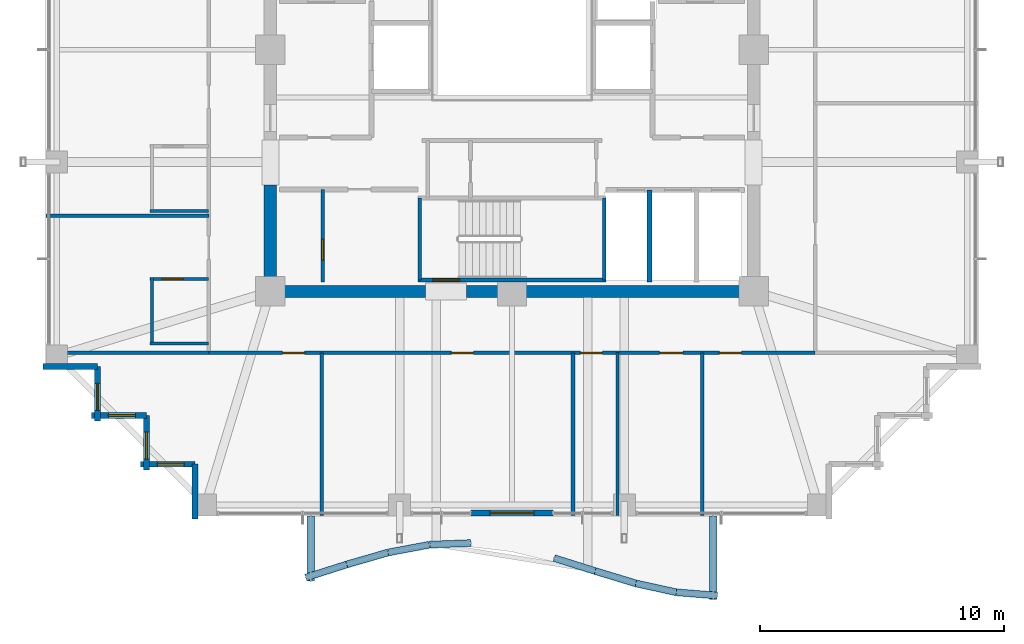
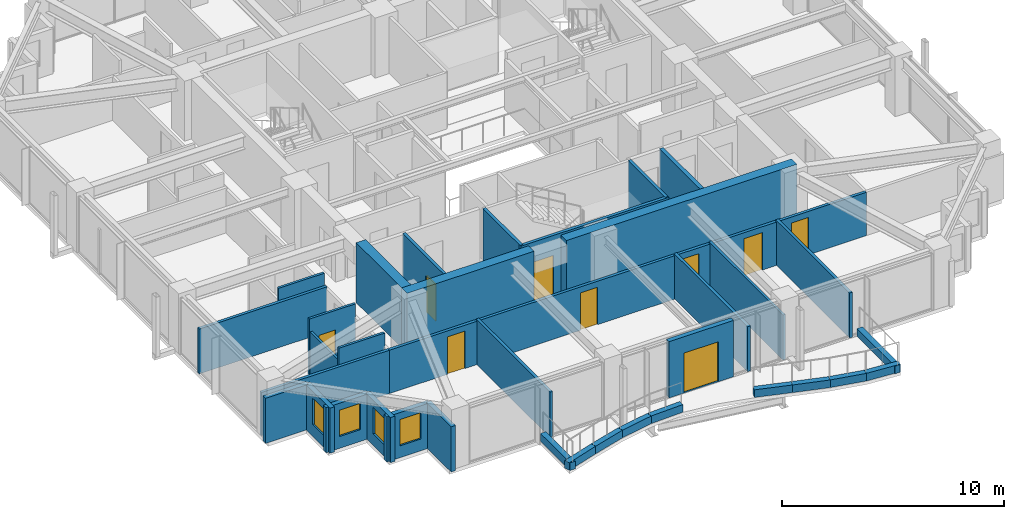
# One storey, part 26 of 32: 36 walls, 9 doors, 4 windows, 13 openings.
"""IFC4 building model written with IfcOpenShell, lengths in metres."""

from ifc_helpers import new_model, si_unit, direction, frame, frame_2d, origin, place, context, subcontext, project, spatial, rectangle, extrude, material, layer, layer_set, type_object, element, fill, save


model = new_model("IFC4")

# Units and contexts
model_context = context("Model", 3, precision=1e-05, world=origin(), true_north=direction((0.0, 1.0)))
body_context = subcontext(model_context, "Body", "Model", "MODEL_VIEW")
ifc_project = project(units=[si_unit("LENGTHUNIT", "METRE"), si_unit("AREAUNIT", "SQUARE_METRE"), si_unit("VOLUMEUNIT", "CUBIC_METRE"), si_unit("PLANEANGLEUNIT", "RADIAN"), si_unit("MASSUNIT", "GRAM", prefix="KILO")], contexts=[model_context])

# Site, building, storey
site_placement = place(None, origin())
site = spatial("IfcSite", under=ifc_project, at=site_placement, CompositionType="ELEMENT")
building_placement = place(site_placement, origin())
building = spatial("IfcBuilding", under=site, at=building_placement, Name="Kolvaren Belvedere", CompositionType="ELEMENT")
storey_placement = place(building_placement, frame((0.0, 0.0, 160.199951171875)))
storey = spatial("IfcBuildingStorey", under=building, at=storey_placement, Name="L46", CompositionType="ELEMENT", Elevation=160.199951171875)

# Walls
ifc_material_1 = material(Name="Concrete C50/60", Category="concrete")
ifc_layer_1 = layer(ifc_material_1, 0.5)
ifc_layer_set_1 = layer_set([ifc_layer_1], Name="Concrete C50/60")
wall_type_1 = type_object("IfcWallType", Name="CW-CORE-500", PredefinedType="SHEAR", material=ifc_layer_set_1)
wall_1_placement = place(storey_placement, frame((10.14990234375, -9.89990234375, 0.0), z_axis=(0.0, 0.0, 1.0), x_axis=(-1.0, 0.0, 0.0)))
element("IfcWall", 1, at=wall_1_placement, inside=storey, type_object=wall_type_1, Name="L46 South Core Shear Wall 1", PredefinedType="SHEAR", context=body_context, shape_type="SweptSolid", body=[
    extrude(rectangle(XDim=12.010009765625, YDim=0.5, at=frame_2d((6.0048828125, 0.0))), origin(), (0.0, 0.0, 1.0), 3.300048828125),
])
wall_2_placement = place(storey_placement, frame((-3.5400390625, -9.89990234375, 0.0), z_axis=(0.0, 0.0, 1.0), x_axis=(-1.0, 0.0, 0.0)))
element("IfcWall", 2, at=wall_2_placement, inside=storey, type_object=wall_type_1, Name="L46 South Core Shear Wall 2", PredefinedType="SHEAR", context=body_context, shape_type="SweptSolid", body=[
    extrude(rectangle(XDim=6.60986328125, YDim=0.5, at=frame_2d((3.304931640625, 0.0))), origin(), (0.0, 0.0, 1.0), 3.300048828125),
])
wall_3_placement = place(storey_placement, frame((-9.89990234375, -9.64990234375, 0.0), z_axis=(0.0, 0.0, 1.0), x_axis=(0.0, 1.0, 0.0)))
element("IfcWall", 3, at=wall_3_placement, inside=storey, type_object=wall_type_1, Name="L46 West Core Shear Wall 1", PredefinedType="SHEAR", context=body_context, shape_type="SweptSolid", body=[
    extrude(rectangle(XDim=4.099853515625, YDim=0.5, at=frame_2d((2.0498046875, 0.0))), origin(), (0.0, 0.0, 1.0), 3.300048828125),
])

# Wall, opening, door
ifc_material_2 = material(Name="Concrete C50/60", Category="concrete")
ifc_layer_2 = layer(ifc_material_2, 0.159912109375)
ifc_layer_set_2 = layer_set([ifc_layer_2], Name="Concrete C50/60")
wall_type_2 = type_object("IfcWallType", Name="CW-STAIR-160", PredefinedType="SHEAR", material=ifc_layer_set_2)
wall_4_placement = place(storey_placement, frame((3.860107421875, -9.429931640625, 0.0), z_axis=(0.0, 0.0, 1.0), x_axis=(-1.0, 0.0, 0.0)))
wall_4 = element("IfcWall", 4, at=wall_4_placement, inside=storey, type_object=wall_type_2, Name="L46 Stair ST-3 South Shear Wall", PredefinedType="SHEAR", context=body_context, shape_type="SweptSolid", body=[
    extrude(rectangle(XDim=7.72021484375, YDim=0.159912109375, at=frame_2d((3.860107421875, 0.0))), origin(), (0.0, 0.0, 1.0), 3.300048828125),
])
opening_1_placement = place(wall_4_placement, frame((6.010009765625, 0.0, 0.0)))
opening_1 = element("IfcOpeningElement", 5, at=opening_1_placement, cuts=wall_4, Name="Opening D-FD90", PredefinedType="OPENING", context=body_context, shape_type="SweptSolid", body=[
    extrude(rectangle(XDim=1.10009765625, YDim=2.199951171875, at=frame_2d((0.550048828125, 1.10009765625))), frame((0.0, 0.08984375, 0.0), z_axis=(0.0, -1.0, 0.0), x_axis=(1.0, 0.0, 0.0)), (0.0, 0.0, 1.0), 0.179931640625),
])
ifc_material_3 = material(Name="Painted hollow stainless steel", Category="steel")
door_type_1 = type_object("IfcDoorType", Name="DR-FD90-1100", OperationType="NOTDEFINED", PredefinedType="DOOR", material=ifc_material_3)
door_1_placement = place(opening_1_placement, origin())
door_1 = element("IfcDoor", 6, at=door_1_placement, inside=storey, type_object=door_type_1, Name="L46 Stair ST-3 Exit Door", OperationType="SINGLE_SWING_RIGHT", OverallHeight=2.199951171875, OverallWidth=1.10009765625, PredefinedType="DOOR", context=body_context, shape_type="SweptSolid", body=[
    extrude(rectangle(XDim=1.10009765625, YDim=2.199951171875, at=frame_2d((0.550048828125, 1.10009765625))), frame((0.0, 0.02490234375, 0.0), z_axis=(0.0, -1.0, 0.0), x_axis=(1.0, 0.0, 0.0)), (0.0, 0.0, 1.0), 0.050048828125),
])
fill(opening_1, door_1)

# Walls
for number, where, z_axis, x_axis, name in (
    (7, (-3.780029296875, -9.429931640625, 0.0), (0.0, 0.0, 1.0), (0.0, 1.0, 0.0), "L46 Stair ST-3 West Shear Wall"),
    (8, (3.780029296875, -9.429931640625, 0.0), (0.0, 0.0, 1.0), (0.0, 1.0, 0.0), "L46 Stair ST-3 East Shear Wall"),
):
    element("IfcWall", number, at=place(storey_placement, frame(where, z_axis=z_axis, x_axis=x_axis)), inside=storey, type_object=wall_type_2, Name=name, PredefinedType="SHEAR", context=body_context, shape_type="SweptSolid", body=[
        extrude(rectangle(XDim=3.349853515625, YDim=0.159912109375, at=frame_2d((1.6748046875, 0.0))), origin(), (0.0, 0.0, 1.0), 3.300048828125),
    ])

# Wall, openings, doors
ifc_material_4 = material(Name="Gypsum fire-rated partition assembly", Category="gypsum")
ifc_layer_3 = layer(ifc_material_4, 0.14990234375)
ifc_layer_set_3 = layer_set([ifc_layer_3], Name="Gypsum fire-rated partition assembly")
wall_type_3 = type_object("IfcWallType", Name="WL-CORR-150", PredefinedType="PARTITIONING", material=ifc_layer_set_3)
wall_5_placement = place(storey_placement, frame((-12.419921875, -12.419921875, 0.0), z_axis=(0.0, 0.0, 1.0), x_axis=(1.0, 0.0, 0.0)))
wall_5 = element("IfcWall", 9, at=wall_5_placement, inside=storey, type_object=wall_type_3, Name="L46 South Corridor Wall", PredefinedType="PARTITIONING", context=body_context, shape_type="SweptSolid", body=[
    extrude(rectangle(XDim=24.83984375, YDim=0.14990234375, at=frame_2d((12.419921875, 0.0))), origin(), (0.0, 0.0, 1.0), 2.38916015625),
])
opening_2_placement = place(wall_5_placement, frame((3.0244140625, 0.0, 0.0)))
opening_2 = element("IfcOpeningElement", 10, at=opening_2_placement, cuts=wall_5, Name="Opening D-INT90", PredefinedType="OPENING", context=body_context, shape_type="SweptSolid", body=[
    extrude(rectangle(XDim=0.89990234375, YDim=2.06005859375, at=frame_2d((0.449951171875, 1.030029296875))), frame((0.0, 0.0849609375, 0.0), z_axis=(0.0, -1.0, 0.0), x_axis=(1.0, 0.0, 0.0)), (0.0, 0.0, 1.0), 0.169921875),
])
opening_3_placement = place(wall_5_placement, frame((9.93994140625, 0.0, 0.0)))
opening_3 = element("IfcOpeningElement", 11, at=opening_3_placement, cuts=wall_5, Name="Opening D-INT90", PredefinedType="OPENING", context=body_context, shape_type="SweptSolid", body=[
    extrude(rectangle(XDim=0.89990234375, YDim=2.06005859375, at=frame_2d((0.449951171875, 1.030029296875))), frame((0.0, 0.0849609375, 0.0), z_axis=(0.0, -1.0, 0.0), x_axis=(1.0, 0.0, 0.0)), (0.0, 0.0, 1.0), 0.169921875),
])
opening_4_placement = place(wall_5_placement, frame((15.224365234375, 0.0, 0.0)))
opening_4 = element("IfcOpeningElement", 12, at=opening_4_placement, cuts=wall_5, Name="Opening D-INT90", PredefinedType="OPENING", context=body_context, shape_type="SweptSolid", body=[
    extrude(rectangle(XDim=0.89990234375, YDim=2.06005859375, at=frame_2d((0.449951171875, 1.030029296875))), frame((0.0, 0.0849609375, 0.0), z_axis=(0.0, -1.0, 0.0), x_axis=(1.0, 0.0, 0.0)), (0.0, 0.0, 1.0), 0.169921875),
])
opening_5_placement = place(wall_5_placement, frame((18.465576171875, 0.0, 0.0)))
opening_5 = element("IfcOpeningElement", 13, at=opening_5_placement, cuts=wall_5, Name="Opening D-INT95", PredefinedType="OPENING", context=body_context, shape_type="SweptSolid", body=[
    extrude(rectangle(XDim=0.949951171875, YDim=2.06005859375, at=frame_2d((0.47509765625, 1.030029296875))), frame((0.0, 0.0849609375, 0.0), z_axis=(0.0, -1.0, 0.0), x_axis=(1.0, 0.0, 0.0)), (0.0, 0.0, 1.0), 0.169921875),
])
opening_6_placement = place(wall_5_placement, frame((20.91552734375, 0.0, 0.0)))
opening_6 = element("IfcOpeningElement", 14, at=opening_6_placement, cuts=wall_5, Name="Opening D-INT90", PredefinedType="OPENING", context=body_context, shape_type="SweptSolid", body=[
    extrude(rectangle(XDim=0.89990234375, YDim=2.06005859375, at=frame_2d((0.449951171875, 1.030029296875))), frame((0.0, 0.0849609375, 0.0), z_axis=(0.0, -1.0, 0.0), x_axis=(1.0, 0.0, 0.0)), (0.0, 0.0, 1.0), 0.169921875),
])
ifc_material_5 = material(Name="Stained Pacific white oak", Category="timber")
door_type_2 = type_object("IfcDoorType", Name="DR-INT-900", OperationType="NOTDEFINED", PredefinedType="DOOR", material=ifc_material_5)
door_2_placement = place(opening_2_placement, origin())
door_2 = element("IfcDoor", 15, at=door_2_placement, inside=storey, type_object=door_type_2, Name="L46 Guest Tea & Espresso Kitchen 4601 Door", OperationType="SINGLE_SWING_RIGHT", OverallHeight=2.06005859375, OverallWidth=0.89990234375, PredefinedType="DOOR", context=body_context, shape_type="SweptSolid", body=[
    extrude(rectangle(XDim=0.89990234375, YDim=2.06005859375, at=frame_2d((0.449951171875, 1.030029296875))), frame((0.0, 0.02490234375, 0.0), z_axis=(0.0, -1.0, 0.0), x_axis=(1.0, 0.0, 0.0)), (0.0, 0.0, 1.0), 0.050048828125),
])
fill(opening_2, door_2)
door_3_placement = place(opening_3_placement, origin())
door_3 = element("IfcDoor", 16, at=door_3_placement, inside=storey, type_object=door_type_2, Name="L46 Wellness Yoga & Reading Gym 4602 Door", OperationType="SINGLE_SWING_LEFT", OverallHeight=2.06005859375, OverallWidth=0.89990234375, PredefinedType="DOOR", context=body_context, shape_type="SweptSolid", body=[
    extrude(rectangle(XDim=0.89990234375, YDim=2.06005859375, at=frame_2d((0.449951171875, 1.030029296875))), frame((0.0, 0.02490234375, 0.0), z_axis=(0.0, -1.0, 0.0), x_axis=(1.0, 0.0, 0.0)), (0.0, 0.0, 1.0), 0.050048828125),
])
fill(opening_3, door_3)
door_4_placement = place(opening_4_placement, origin())
door_4 = element("IfcDoor", 17, at=door_4_placement, inside=storey, type_object=door_type_2, Name="L46 Housekeeping Door", OperationType="SINGLE_SWING_RIGHT", OverallHeight=2.06005859375, OverallWidth=0.89990234375, PredefinedType="DOOR", context=body_context, shape_type="SweptSolid", body=[
    extrude(rectangle(XDim=0.89990234375, YDim=2.06005859375, at=frame_2d((0.449951171875, 1.030029296875))), frame((0.0, 0.02490234375, 0.0), z_axis=(0.0, -1.0, 0.0), x_axis=(1.0, 0.0, 0.0)), (0.0, 0.0, 1.0), 0.050048828125),
])
fill(opening_4, door_4)
door_5_placement = place(opening_6_placement, origin())
door_5 = element("IfcDoor", 18, at=door_5_placement, inside=storey, type_object=door_type_2, Name="L46 Private Hospitality Meeting Room 4603 Door", OperationType="SINGLE_SWING_RIGHT", OverallHeight=2.06005859375, OverallWidth=0.89990234375, PredefinedType="DOOR", context=body_context, shape_type="SweptSolid", body=[
    extrude(rectangle(XDim=0.89990234375, YDim=2.06005859375, at=frame_2d((0.449951171875, 1.030029296875))), frame((0.0, 0.02490234375, 0.0), z_axis=(0.0, -1.0, 0.0), x_axis=(1.0, 0.0, 0.0)), (0.0, 0.0, 1.0), 0.050048828125),
])
fill(opening_6, door_5)
ifc_material_6 = material(Name="Stained Pacific white oak", Category="timber")
door_type_3 = type_object("IfcDoorType", Name="DR-INT-950", OperationType="NOTDEFINED", PredefinedType="DOOR", material=ifc_material_6)
door_6_placement = place(opening_5_placement, origin())
door_6 = element("IfcDoor", 19, at=door_6_placement, inside=storey, type_object=door_type_3, Name="L46 Accessible Washroom Door", OperationType="SINGLE_SWING_LEFT", OverallHeight=2.06005859375, OverallWidth=0.949951171875, PredefinedType="DOOR", context=body_context, shape_type="SweptSolid", body=[
    extrude(rectangle(XDim=0.949951171875, YDim=2.06005859375, at=frame_2d((0.47509765625, 1.030029296875))), frame((0.0, 0.02490234375, 0.0), z_axis=(0.0, -1.0, 0.0), x_axis=(1.0, 0.0, 0.0)), (0.0, 0.0, 1.0), 0.050048828125),
])
fill(opening_5, door_6)

# Wall, opening, door
ifc_material_7 = material(Name="Insulated pale-metal facade wall assembly", Category="aluminium")
ifc_layer_4 = layer(ifc_material_7, 0.239990234375)
ifc_layer_set_4 = layer_set([ifc_layer_4], Name="Insulated pale-metal facade wall assembly")
wall_type_4 = type_object("IfcWallType", Name="WL-EXT-240", PredefinedType="STANDARD", material=ifc_layer_set_4)
wall_6_placement = place(storey_placement, frame((1.679931640625, -18.97998046875, 0.0), z_axis=(0.0, 0.0, 1.0), x_axis=(-1.0, 0.0, 0.0)))
wall_6 = element("IfcWall", 20, at=wall_6_placement, inside=storey, type_object=wall_type_4, Name="L46 South Terrace Portal Wall", PredefinedType="STANDARD", context=body_context, shape_type="SweptSolid", body=[
    extrude(rectangle(XDim=3.35986328125, YDim=0.239990234375, at=frame_2d((1.679931640625, 0.0))), origin(), (0.0, 0.0, 1.0), 3.10009765625),
])
opening_7_placement = place(wall_6_placement, frame((0.780029296875, 0.0, 0.0)))
opening_7 = element("IfcOpeningElement", 21, at=opening_7_placement, cuts=wall_6, Name="Opening DB-1800", PredefinedType="OPENING", context=body_context, shape_type="SweptSolid", body=[
    extrude(rectangle(XDim=1.800048828125, YDim=2.199951171875, at=frame_2d((0.89990234375, 1.10009765625))), frame((0.0, 0.1298828125, 0.0), z_axis=(0.0, -1.0, 0.0), x_axis=(1.0, 0.0, 0.0)), (0.0, 0.0, 1.0), 0.260009765625),
])
ifc_material_8 = material(Name="Thermally broken pale-metal aluminium & low-iron glass", Category="aluminium")
door_type_4 = type_object("IfcDoorType", Name="DR-BAL-1800", OperationType="DOUBLE_DOOR_SLIDING", PredefinedType="DOOR", material=ifc_material_8)
door_7_placement = place(opening_7_placement, origin())
door_7 = element("IfcDoor", 22, at=door_7_placement, inside=storey, type_object=door_type_4, Name="L46 South Planted Terrace Sliding Door", OperationType="DOUBLE_DOOR_SLIDING", OverallHeight=2.199951171875, OverallWidth=1.800048828125, PredefinedType="DOOR", context=body_context, shape_type="SweptSolid", body=[
    extrude(rectangle(XDim=1.800048828125, YDim=2.199951171875, at=frame_2d((0.89990234375, 1.10009765625))), frame((0.0, 0.02490234375, 0.0), z_axis=(0.0, -1.0, 0.0), x_axis=(1.0, 0.0, 0.0)), (0.0, 0.0, 1.0), 0.050048828125),
])
fill(opening_7, door_7)

# Wall
wall_7_placement = place(storey_placement, frame((-16.97998046875, -12.97998046875, 0.0), z_axis=(0.0, 0.0, 1.0), x_axis=(-1.0, 0.0, 0.0)))
element("IfcWall", 23, at=wall_7_placement, inside=storey, type_object=wall_type_4, Name="L46 Serrated Corner Facade Wall 23", PredefinedType="STANDARD", context=body_context, shape_type="SweptSolid", body=[
    extrude(rectangle(XDim=2.239990234375, YDim=0.239990234375, at=frame_2d((1.1201171875, 0.0))), origin(), (0.0, 0.0, 1.0), 2.483154296875),
])

# Wall, opening, window
wall_8_placement = place(storey_placement, frame((-16.97998046875, -15.219970703125, 0.0), z_axis=(0.0, 0.0, 1.0), x_axis=(0.0, 1.0, 0.0)))
wall_8 = element("IfcWall", 24, at=wall_8_placement, inside=storey, type_object=wall_type_4, Name="L46 Serrated Corner Facade Wall 24", PredefinedType="STANDARD", context=body_context, shape_type="SweptSolid", body=[
    extrude(rectangle(XDim=2.239990234375, YDim=0.239990234375, at=frame_2d((1.1201171875, 0.0))), origin(), (0.0, 0.0, 1.0), 2.483154296875),
])
opening_8_placement = place(wall_8_placement, frame((0.449951171875, 0.0, 0.64990234375)))
opening_8 = element("IfcOpeningElement", 25, at=opening_8_placement, cuts=wall_8, Name="Opening W-1100", PredefinedType="OPENING", context=body_context, shape_type="SweptSolid", body=[
    extrude(rectangle(XDim=1.10009765625, YDim=1.449951171875, at=frame_2d((0.550048828125, 0.72509765625))), frame((0.0, 0.1298828125, 0.0), z_axis=(0.0, -1.0, 0.0), x_axis=(1.0, 0.0, 0.0)), (0.0, 0.0, 1.0), 0.260009765625),
])
ifc_material_9 = material(Name="Low-iron triple insulated glass", Category="glass")
window_type = type_object("IfcWindowType", Name="WN-CORN-1100", PartitioningType="SINGLE_PANEL", PredefinedType="WINDOW", material=ifc_material_9)
window_1_placement = place(opening_8_placement, origin())
window_1 = element("IfcWindow", 26, at=window_1_placement, inside=storey, type_object=window_type, Name="L46 Serrated Corner Vision Window 24", OverallHeight=1.449951171875, OverallWidth=1.10009765625, PartitioningType="SINGLE_PANEL", PredefinedType="WINDOW", context=body_context, shape_type="SweptSolid", body=[
    extrude(rectangle(XDim=1.10009765625, YDim=1.449951171875, at=frame_2d((0.550048828125, 0.72509765625))), frame((0.0, 0.030029296875, 0.0), z_axis=(0.0, -1.0, 0.0), x_axis=(1.0, 0.0, 0.0)), (0.0, 0.0, 1.0), 0.06005859375),
])
fill(opening_8, window_1)

wall_9_placement = place(storey_placement, frame((-14.97998046875, -14.97998046875, 0.0), z_axis=(0.0, 0.0, 1.0), x_axis=(-1.0, 0.0, 0.0)))
wall_9 = element("IfcWall", 27, at=wall_9_placement, inside=storey, type_object=wall_type_4, Name="L46 Serrated Corner Facade Wall 25", PredefinedType="STANDARD", context=body_context, shape_type="SweptSolid", body=[
    extrude(rectangle(XDim=2.239990234375, YDim=0.239990234375, at=frame_2d((1.1201171875, 0.0))), origin(), (0.0, 0.0, 1.0), 2.483154296875),
])
opening_9_placement = place(wall_9_placement, frame((0.449951171875, 0.0, 0.64990234375)))
opening_9 = element("IfcOpeningElement", 28, at=opening_9_placement, cuts=wall_9, Name="Opening W-1100", PredefinedType="OPENING", context=body_context, shape_type="SweptSolid", body=[
    extrude(rectangle(XDim=1.10009765625, YDim=1.449951171875, at=frame_2d((0.550048828125, 0.72509765625))), frame((0.0, 0.1298828125, 0.0), z_axis=(0.0, -1.0, 0.0), x_axis=(1.0, 0.0, 0.0)), (0.0, 0.0, 1.0), 0.260009765625),
])
window_2_placement = place(opening_9_placement, origin())
window_2 = element("IfcWindow", 29, at=window_2_placement, inside=storey, type_object=window_type, Name="L46 Serrated Corner Vision Window 25", OverallHeight=1.449951171875, OverallWidth=1.10009765625, PartitioningType="SINGLE_PANEL", PredefinedType="WINDOW", context=body_context, shape_type="SweptSolid", body=[
    extrude(rectangle(XDim=1.10009765625, YDim=1.449951171875, at=frame_2d((0.550048828125, 0.72509765625))), frame((0.0, 0.030029296875, 0.0), z_axis=(0.0, -1.0, 0.0), x_axis=(1.0, 0.0, 0.0)), (0.0, 0.0, 1.0), 0.06005859375),
])
fill(opening_9, window_2)

wall_10_placement = place(storey_placement, frame((-14.97998046875, -17.219970703125, 0.0), z_axis=(0.0, 0.0, 1.0), x_axis=(0.0, 1.0, 0.0)))
wall_10 = element("IfcWall", 30, at=wall_10_placement, inside=storey, type_object=wall_type_4, Name="L46 Serrated Corner Facade Wall 26", PredefinedType="STANDARD", context=body_context, shape_type="SweptSolid", body=[
    extrude(rectangle(XDim=2.239990234375, YDim=0.239990234375, at=frame_2d((1.1201171875, 0.0))), origin(), (0.0, 0.0, 1.0), 2.483154296875),
])
opening_10_placement = place(wall_10_placement, frame((0.449951171875, 0.0, 0.64990234375)))
opening_10 = element("IfcOpeningElement", 31, at=opening_10_placement, cuts=wall_10, Name="Opening W-1100", PredefinedType="OPENING", context=body_context, shape_type="SweptSolid", body=[
    extrude(rectangle(XDim=1.10009765625, YDim=1.449951171875, at=frame_2d((0.550048828125, 0.72509765625))), frame((0.0, 0.1298828125, 0.0), z_axis=(0.0, -1.0, 0.0), x_axis=(1.0, 0.0, 0.0)), (0.0, 0.0, 1.0), 0.260009765625),
])
window_3_placement = place(opening_10_placement, origin())
window_3 = element("IfcWindow", 32, at=window_3_placement, inside=storey, type_object=window_type, Name="L46 Serrated Corner Vision Window 26", OverallHeight=1.449951171875, OverallWidth=1.10009765625, PartitioningType="SINGLE_PANEL", PredefinedType="WINDOW", context=body_context, shape_type="SweptSolid", body=[
    extrude(rectangle(XDim=1.10009765625, YDim=1.449951171875, at=frame_2d((0.550048828125, 0.72509765625))), frame((0.0, 0.030029296875, 0.0), z_axis=(0.0, -1.0, 0.0), x_axis=(1.0, 0.0, 0.0)), (0.0, 0.0, 1.0), 0.06005859375),
])
fill(opening_10, window_3)

wall_11_placement = place(storey_placement, frame((-12.97998046875, -16.97998046875, 0.0), z_axis=(0.0, 0.0, 1.0), x_axis=(-1.0, 0.0, 0.0)))
wall_11 = element("IfcWall", 33, at=wall_11_placement, inside=storey, type_object=wall_type_4, Name="L46 Serrated Corner Facade Wall 27", PredefinedType="STANDARD", context=body_context, shape_type="SweptSolid", body=[
    extrude(rectangle(XDim=2.239990234375, YDim=0.239990234375, at=frame_2d((1.1201171875, 0.0))), origin(), (0.0, 0.0, 1.0), 2.483154296875),
])
opening_11_placement = place(wall_11_placement, frame((0.449951171875, 0.0, 0.64990234375)))
opening_11 = element("IfcOpeningElement", 34, at=opening_11_placement, cuts=wall_11, Name="Opening W-1100", PredefinedType="OPENING", context=body_context, shape_type="SweptSolid", body=[
    extrude(rectangle(XDim=1.10009765625, YDim=1.449951171875, at=frame_2d((0.550048828125, 0.72509765625))), frame((0.0, 0.1298828125, 0.0), z_axis=(0.0, -1.0, 0.0), x_axis=(1.0, 0.0, 0.0)), (0.0, 0.0, 1.0), 0.260009765625),
])
window_4_placement = place(opening_11_placement, origin())
window_4 = element("IfcWindow", 35, at=window_4_placement, inside=storey, type_object=window_type, Name="L46 Serrated Corner Vision Window 27", OverallHeight=1.449951171875, OverallWidth=1.10009765625, PartitioningType="SINGLE_PANEL", PredefinedType="WINDOW", context=body_context, shape_type="SweptSolid", body=[
    extrude(rectangle(XDim=1.10009765625, YDim=1.449951171875, at=frame_2d((0.550048828125, 0.72509765625))), frame((0.0, 0.030029296875, 0.0), z_axis=(0.0, -1.0, 0.0), x_axis=(1.0, 0.0, 0.0)), (0.0, 0.0, 1.0), 0.06005859375),
])
fill(opening_11, window_4)

# Wall
wall_12_placement = place(storey_placement, frame((-12.97998046875, -19.219970703125, 0.0), z_axis=(0.0, 0.0, 1.0), x_axis=(0.0, 1.0, 0.0)))
element("IfcWall", 36, at=wall_12_placement, inside=storey, type_object=wall_type_4, Name="L46 Serrated Corner Facade Wall 28", PredefinedType="STANDARD", context=body_context, shape_type="SweptSolid", body=[
    extrude(rectangle(XDim=2.239990234375, YDim=0.239990234375, at=frame_2d((1.1201171875, 0.0))), origin(), (0.0, 0.0, 1.0), 2.483154296875),
])

# Wall, opening, door
ifc_material_10 = material(Name="Gypsum acoustic partition assembly", Category="gypsum")
ifc_layer_5 = layer(ifc_material_10, 0.14990234375)
ifc_layer_set_5 = layer_set([ifc_layer_5], Name="Gypsum acoustic partition assembly")
wall_type_5 = type_object("IfcWallType", Name="WL-PART-150", PredefinedType="PARTITIONING", material=ifc_layer_set_5)
wall_13_placement = place(storey_placement, frame((-7.75, -9.52001953125, 0.0), z_axis=(0.0, 0.0, 1.0), x_axis=(0.0, 1.0, 0.0)))
wall_13 = element("IfcWall", 37, at=wall_13_placement, inside=storey, type_object=wall_type_5, Name="L46 Reclaimed Mid Store Divider", PredefinedType="PARTITIONING", context=body_context, shape_type="SweptSolid", body=[
    extrude(rectangle(XDim=3.800048828125, YDim=0.14990234375, at=frame_2d((1.89990234375, 0.0))), origin(), (0.0, 0.0, 1.0), 3.10009765625),
])
opening_12_placement = place(wall_13_placement, frame((0.89990234375, 0.0, 0.0)))
opening_12 = element("IfcOpeningElement", 38, at=opening_12_placement, cuts=wall_13, Name="Opening D-INT85", PredefinedType="OPENING", context=body_context, shape_type="SweptSolid", body=[
    extrude(rectangle(XDim=0.85009765625, YDim=2.030029296875, at=frame_2d((0.425048828125, 1.01513671875))), frame((0.0, 0.0849609375, 0.0), z_axis=(0.0, -1.0, 0.0), x_axis=(1.0, 0.0, 0.0)), (0.0, 0.0, 1.0), 0.169921875),
])
ifc_material_11 = material(Name="Stained Pacific white oak", Category="timber")
door_type_5 = type_object("IfcDoorType", Name="DR-INT-850", OperationType="NOTDEFINED", PredefinedType="DOOR", material=ifc_material_11)
door_8_placement = place(opening_12_placement, origin())
door_8 = element("IfcDoor", 39, at=door_8_placement, inside=storey, type_object=door_type_5, Name="L46 Janitor Store Door", OperationType="SINGLE_SWING_RIGHT", OverallHeight=2.030029296875, OverallWidth=0.85009765625, PredefinedType="DOOR", context=body_context, shape_type="SweptSolid", body=[
    extrude(rectangle(XDim=0.85009765625, YDim=2.030029296875, at=frame_2d((0.425048828125, 1.01513671875))), frame((0.0, 0.02490234375, 0.0), z_axis=(0.0, -1.0, 0.0), x_axis=(1.0, 0.0, 0.0)), (0.0, 0.0, 1.0), 0.050048828125),
])
fill(opening_12, door_8)

# Walls
wall_14_placement = place(storey_placement, frame((-19.080078125, -12.419921875, 0.0), z_axis=(0.0, 0.0, 1.0), x_axis=(1.0, 0.0, 0.0)))
element("IfcWall", 40, at=wall_14_placement, inside=storey, type_object=wall_type_5, Name="L46 Wing Divider PW-L46-QSW", PredefinedType="PARTITIONING", context=body_context, shape_type="SweptSolid", body=[
    extrude(rectangle(XDim=6.66015625, YDim=0.14990234375, at=frame_2d((3.330078125, 0.0))), origin(), (0.0, 0.0, 1.0), 2.38916015625),
])
for number, where, z_axis, x_axis, name in (
    (41, (-7.800048828125, -19.080078125, 0.0), (0.0, 0.0, 1.0), (0.0, 1.0, 0.0), "L46 South Suite Demising Wall 1"),
    (42, (2.5, -19.080078125, 0.0), (0.0, 0.0, 1.0), (0.0, 1.0, 0.0), "L46 South Suite Demising Wall 2"),
    (43, (7.800048828125, -19.080078125, 0.0), (0.0, 0.0, 1.0), (0.0, 1.0, 0.0), "L46 South Suite Demising Wall 3"),
    (44, (-19.080078125, -6.800048828125, 0.0), (0.0, 0.0, 1.0), (1.0, 0.0, 0.0), "L46 West Suite Demising Wall 1"),
):
    element("IfcWall", number, at=place(storey_placement, frame(where, z_axis=z_axis, x_axis=x_axis)), inside=storey, type_object=wall_type_5, Name=name, PredefinedType="PARTITIONING", context=body_context, shape_type="SweptSolid", body=[
        extrude(rectangle(XDim=6.66015625, YDim=0.14990234375, at=frame_2d((3.330078125, 0.0))), origin(), (0.0, 0.0, 1.0), 2.47314453125),
    ])
ifc_material_12 = material(Name="Precast concrete C40/50", Category="concrete")
ifc_layer_6 = layer(ifc_material_12, 0.300048828125)
ifc_layer_set_6 = layer_set([ifc_layer_6], Name="Precast concrete C40/50")
wall_type_6 = type_object("IfcWallType", Name="WL-PLANTER-300", PredefinedType="PARAPET", material=ifc_layer_set_6)
wall_15_placement = place(storey_placement, frame((-8.448486328125, -21.621337890625, -0.02001953125), z_axis=(0.0, 0.0, 1.0), x_axis=(0.952661770826, 0.304032153573, 0.0)))
element("IfcWall", 45, at=wall_15_placement, inside=storey, type_object=wall_type_6, Name="L46 Precast Structural Planter Wall BAL-S-1", PredefinedType="PARAPET", context=body_context, shape_type="SweptSolid", body=[
    extrude(rectangle(XDim=1.763427734375, YDim=0.280029296875, at=frame_2d((0.8818359375, 0.0))), origin(), (0.0, 0.0, 1.0), 0.420166015625),
])
wall_16_placement = place(storey_placement, frame((-6.764404296875, -21.083984375, -0.02001953125), z_axis=(0.0, 0.0, 1.0), x_axis=(0.96059663827, 0.277946215201, 0.0)))
element("IfcWall", 46, at=wall_16_placement, inside=storey, type_object=wall_type_6, Name="L46 Precast Structural Planter Wall BAL-S-2", PredefinedType="PARAPET", context=body_context, shape_type="SweptSolid", body=[
    extrude(rectangle(XDim=1.748779296875, YDim=0.280029296875, at=frame_2d((0.87451171875, 0.0))), origin(), (0.0, 0.0, 1.0), 0.420166015625),
])
wall_17_placement = place(storey_placement, frame((-5.069580078125, -20.594482421875, -0.02001953125), z_axis=(0.0, 0.0, 1.0), x_axis=(0.982773416621, 0.184814532932, 0.0)))
element("IfcWall", 47, at=wall_17_placement, inside=storey, type_object=wall_type_6, Name="L46 Precast Structural Planter Wall BAL-S-3", PredefinedType="PARAPET", context=body_context, shape_type="SweptSolid", body=[
    extrude(rectangle(XDim=1.70947265625, YDim=0.280029296875, at=frame_2d((0.854736328125, 0.0))), origin(), (0.0, 0.0, 1.0), 0.420166015625),
])
wall_18_placement = place(storey_placement, frame((-3.366455078125, -20.27587890625, -0.02001953125), z_axis=(0.0, 0.0, 1.0), x_axis=(0.999196778482, 0.040072407855, 0.0)))
element("IfcWall", 48, at=wall_18_placement, inside=storey, type_object=wall_type_6, Name="L46 Precast Structural Planter Wall BAL-S-4", PredefinedType="PARAPET", context=body_context, shape_type="SweptSolid", body=[
    extrude(rectangle(XDim=1.681640625, YDim=0.280029296875, at=frame_2d((0.8408203125, 0.0))), origin(), (0.0, 0.0, 1.0), 0.420166015625),
])
wall_19_placement = place(storey_placement, frame((1.727783203125, -20.82763671875, -0.02001953125), z_axis=(0.0, 0.0, 1.0), x_axis=(0.954069594374, -0.299585061529, 0.0)))
element("IfcWall", 49, at=wall_19_placement, inside=storey, type_object=wall_type_6, Name="L46 Precast Structural Planter Wall BAL-S-7", PredefinedType="PARAPET", context=body_context, shape_type="SweptSolid", body=[
    extrude(rectangle(XDim=1.760986328125, YDim=0.280029296875, at=frame_2d((0.88037109375, 0.0))), origin(), (0.0, 0.0, 1.0), 0.420166015625),
])
wall_20_placement = place(storey_placement, frame((3.406494140625, -21.354736328125, -0.02001953125), z_axis=(0.0, 0.0, 1.0), x_axis=(0.956771481005, -0.290840734999, 0.0)))
element("IfcWall", 50, at=wall_20_placement, inside=storey, type_object=wall_type_6, Name="L46 Precast Structural Planter Wall BAL-S-8", PredefinedType="PARAPET", context=body_context, shape_type="SweptSolid", body=[
    extrude(rectangle(XDim=1.756103515625, YDim=0.280029296875, at=frame_2d((0.8779296875, 0.0))), origin(), (0.0, 0.0, 1.0), 0.420166015625),
])
wall_21_placement = place(storey_placement, frame((5.07421875, -21.8623046875, -0.02001953125), z_axis=(0.0, 0.0, 1.0), x_axis=(0.976876857632, -0.213802724545, 0.0)))
element("IfcWall", 51, at=wall_21_placement, inside=storey, type_object=wall_type_6, Name="L46 Precast Structural Planter Wall BAL-S-9", PredefinedType="PARAPET", context=body_context, shape_type="SweptSolid", body=[
    extrude(rectangle(XDim=1.7197265625, YDim=0.280029296875, at=frame_2d((0.85986328125, 0.0))), origin(), (0.0, 0.0, 1.0), 0.420166015625),
])
wall_22_placement = place(storey_placement, frame((6.732666015625, -22.226806640625, -0.02001953125), z_axis=(0.0, 0.0, 1.0), x_axis=(0.996843773847, -0.079388226721, 0.0)))
element("IfcWall", 52, at=wall_22_placement, inside=storey, type_object=wall_type_6, Name="L46 Precast Structural Planter Wall BAL-S-10", PredefinedType="PARAPET", context=body_context, shape_type="SweptSolid", body=[
    extrude(rectangle(XDim=1.685302734375, YDim=0.280029296875, at=frame_2d((0.8427734375, 0.0))), origin(), (0.0, 0.0, 1.0), 0.420166015625),
])
wall_23_placement = place(storey_placement, frame((8.239990234375, -22.52001953125, -0.02001953125), z_axis=(0.0, 0.0, 1.0), x_axis=(0.0, 1.0, 0.0)))
element("IfcWall", 53, at=wall_23_placement, inside=storey, type_object=wall_type_6, Name="L46 Precast Structural Planter Wall BAL-S-11", PredefinedType="PARAPET", context=body_context, shape_type="SweptSolid", body=[
    extrude(rectangle(XDim=3.419921875, YDim=0.280029296875, at=frame_2d((1.7099609375, 0.0))), origin(), (0.0, 0.0, 1.0), 0.420166015625),
])
wall_24_placement = place(storey_placement, frame((-8.239990234375, -19.10009765625, -0.02001953125), z_axis=(0.0, 0.0, 1.0), x_axis=(0.0, -1.0, 0.0)))
element("IfcWall", 54, at=wall_24_placement, inside=storey, type_object=wall_type_6, Name="L46 Precast Structural Planter Wall BAL-S-22", PredefinedType="PARAPET", context=body_context, shape_type="SweptSolid", body=[
    extrude(rectangle(XDim=2.673583984375, YDim=0.280029296875, at=frame_2d((1.3369140625, 0.0))), origin(), (0.0, 0.0, 1.0), 0.420166015625),
])
ifc_material_13 = material(Name="Concrete C50/60", Category="concrete")
ifc_layer_7 = layer(ifc_material_13, 0.199951171875)
ifc_layer_set_7 = layer_set([ifc_layer_7], Name="Concrete C50/60")
wall_type_7 = type_object("IfcWallType", Name="WL-SHAFT-200", PredefinedType="SOLIDWALL", material=ifc_layer_set_7)
wall_25_placement = place(storey_placement, frame((5.6298828125, -9.52001953125, 0.0), z_axis=(0.0, 0.0, 1.0), x_axis=(0.0, 1.0, 0.0)))
element("IfcWall", 55, at=wall_25_placement, inside=storey, type_object=wall_type_7, Name="L46 High-Rise Hoistway Divider 1", PredefinedType="SOLIDWALL", context=body_context, shape_type="SweptSolid", body=[
    extrude(rectangle(XDim=3.77001953125, YDim=0.199951171875, at=frame_2d((1.885009765625, 0.0))), origin(), (0.0, 0.0, 1.0), 3.10009765625),
])
ifc_material_14 = material(Name="Moisture-resistant gypsum partition", Category="gypsum")
ifc_layer_8 = layer(ifc_material_14, 0.125)
ifc_layer_set_8 = layer_set([ifc_layer_8], Name="Moisture-resistant gypsum partition")
wall_type_8 = type_object("IfcWallType", Name="WL-WET-125", PredefinedType="PARTITIONING", material=ifc_layer_set_8)
wall_26_placement = place(storey_placement, frame((4.321044921875, -19.080078125, 0.0), z_axis=(0.0, 0.0, 1.0), x_axis=(0.0, 1.0, 0.0)))
element("IfcWall", 56, at=wall_26_placement, inside=storey, type_object=wall_type_8, Name="L46 Housekeeping Washroom Divider", PredefinedType="PARTITIONING", context=body_context, shape_type="SweptSolid", body=[
    extrude(rectangle(XDim=6.68505859375, YDim=0.125, at=frame_2d((3.342529296875, 0.0))), origin(), (0.0, 0.0, 1.0), 2.47314453125),
])

# Wall, opening, door
wall_27_placement = place(storey_placement, frame((-14.824951171875, -9.39111328125, 0.0), z_axis=(0.0, 0.0, 1.0), x_axis=(1.0, 0.0, 0.0)))
wall_27 = element("IfcWall", 57, at=wall_27_placement, inside=storey, type_object=wall_type_8, Name="L46 Bathroom Partition PW-L46-BTH-6-N", PredefinedType="PARTITIONING", context=body_context, shape_type="SweptSolid", body=[
    extrude(rectangle(XDim=2.389892578125, YDim=0.125, at=frame_2d((1.19482421875, 0.0))), origin(), (0.0, 0.0, 1.0), 3.10009765625),
])
opening_13_placement = place(wall_27_placement, frame((0.5, 0.0, 0.0)))
opening_13 = element("IfcOpeningElement", 58, at=opening_13_placement, cuts=wall_27, Name="Opening D-BTH85", PredefinedType="OPENING", context=body_context, shape_type="SweptSolid", body=[
    extrude(rectangle(XDim=0.85009765625, YDim=2.030029296875, at=frame_2d((0.425048828125, 1.01513671875))), frame((0.0, 0.072509765625, 0.0), z_axis=(0.0, -1.0, 0.0), x_axis=(1.0, 0.0, 0.0)), (0.0, 0.0, 1.0), 0.14501953125),
])
ifc_material_15 = material(Name="Moisture-sealed Pacific white oak", Category="timber")
door_type_6 = type_object("IfcDoorType", Name="DR-BATH-850", OperationType="NOTDEFINED", PredefinedType="DOOR", material=ifc_material_15)
door_9_placement = place(opening_13_placement, origin())
door_9 = element("IfcDoor", 59, at=door_9_placement, inside=storey, type_object=door_type_6, Name="L46 En-Suite Bathroom 4606 Door", OperationType="SINGLE_SWING_LEFT", OverallHeight=2.030029296875, OverallWidth=0.85009765625, PredefinedType="DOOR", context=body_context, shape_type="SweptSolid", body=[
    extrude(rectangle(XDim=0.85009765625, YDim=2.030029296875, at=frame_2d((0.425048828125, 1.01513671875))), frame((0.0, 0.02490234375, 0.0), z_axis=(0.0, -1.0, 0.0), x_axis=(1.0, 0.0, 0.0)), (0.0, 0.0, 1.0), 0.050048828125),
])
fill(opening_13, door_9)

# Walls
wall_28_placement = place(storey_placement, frame((-14.7451171875, -12.10107421875, 0.0), z_axis=(0.0, 0.0, 1.0), x_axis=(0.0, 1.0, 0.0)))
element("IfcWall", 60, at=wall_28_placement, inside=storey, type_object=wall_type_8, Name="L46 Bathroom Partition PW-L46-BTH-6-V", PredefinedType="PARTITIONING", context=body_context, shape_type="SweptSolid", body=[
    extrude(rectangle(XDim=2.77001953125, YDim=0.125, at=frame_2d((1.385009765625, 0.0))), origin(), (0.0, 0.0, 1.0), 2.38916015625),
])
for number, where, z_axis, x_axis, name in (
    (61, (-14.824951171875, -12.041015625, 0.0), (0.0, 0.0, 1.0), (1.0, 0.0, 0.0), "L46 Bathroom Partition PW-L46-BTH-6-S"),
    (62, (-14.824951171875, -6.60498046875, 0.0), (0.0, 0.0, 1.0), (1.0, 0.0, 0.0), "L46 Bathroom Partition PW-L46-BTH-7-S"),
):
    element("IfcWall", number, at=place(storey_placement, frame(where, z_axis=z_axis, x_axis=x_axis)), inside=storey, type_object=wall_type_8, Name=name, PredefinedType="PARTITIONING", context=body_context, shape_type="SweptSolid", body=[
        extrude(rectangle(XDim=2.389892578125, YDim=0.125, at=frame_2d((1.19482421875, 0.0))), origin(), (0.0, 0.0, 1.0), 3.10009765625),
    ])

save(model, "model.ifc")
